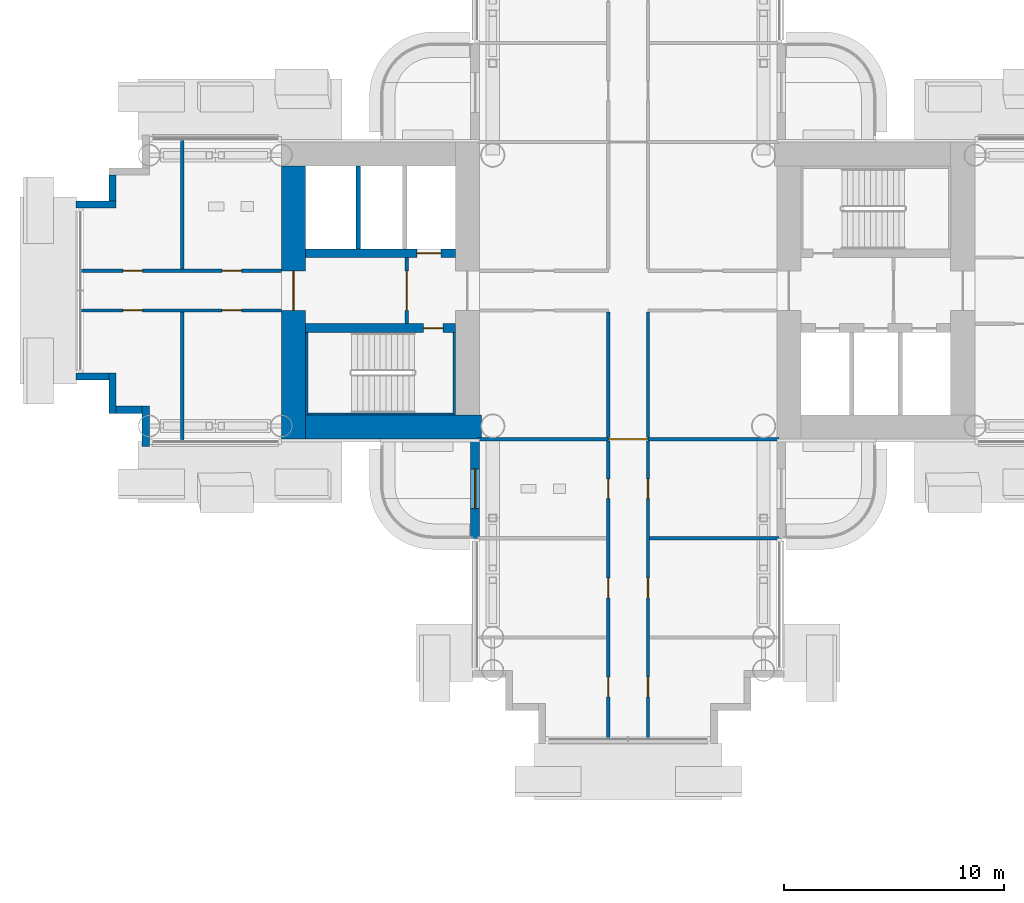
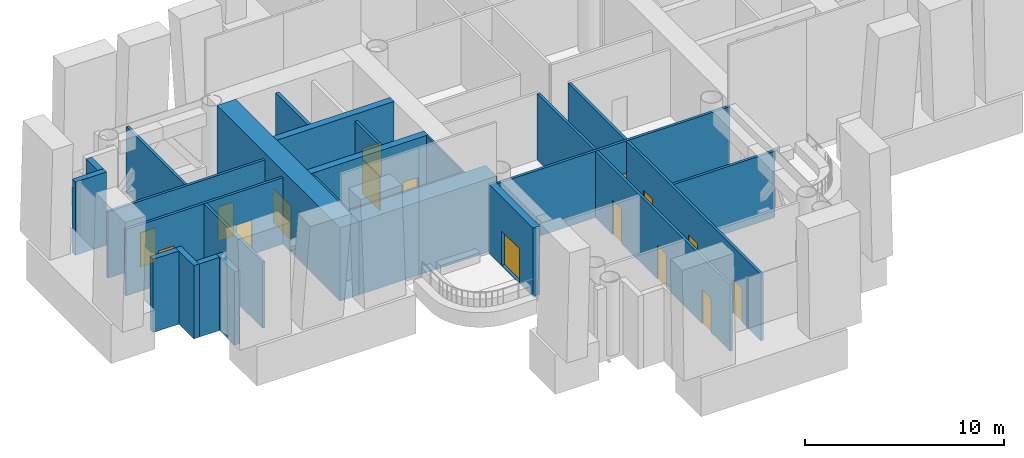
# One storey, part 13 of 27: 26 walls, 16 doors, 16 openings.
"""IFC4 building model written with IfcOpenShell, lengths in metres."""

from ifc_helpers import new_model, si_unit, direction, frame, frame_2d, origin, place, context, subcontext, project, spatial, rectangle, extrude, material, layer, layer_set, type_object, element, fill, save


model = new_model("IFC4")

# Units and contexts
model_context = context("Model", 3, precision=1e-05, world=origin(), true_north=direction((0.0, 1.0)))
body_context = subcontext(model_context, "Body", "Model", "MODEL_VIEW")
ifc_project = project(units=[si_unit("LENGTHUNIT", "METRE"), si_unit("AREAUNIT", "SQUARE_METRE"), si_unit("VOLUMEUNIT", "CUBIC_METRE"), si_unit("PLANEANGLEUNIT", "RADIAN"), si_unit("MASSUNIT", "GRAM", prefix="KILO")], contexts=[model_context])

# Site, building, storey
site_placement = place(None, origin())
site = spatial("IfcSite", under=ifc_project, at=site_placement, CompositionType="ELEMENT")
building_placement = place(site_placement, origin())
building = spatial("IfcBuilding", under=site, at=building_placement, Name="Ipe Terrace Towers", CompositionType="ELEMENT")
storey_placement = place(building_placement, frame((0.0, 0.0, 72.10009765625)))
storey = spatial("IfcBuildingStorey", under=building, at=storey_placement, Name="L19", CompositionType="ELEMENT", Elevation=72.10009765625)

# Wall, opening, door
ifc_material_1 = material(Name="Concrete C40/50 with buff precast cladding", Category="concrete")
ifc_layer_1 = layer(ifc_material_1, 0.39990234375)
ifc_layer_set_1 = layer_set([ifc_layer_1], Name="BALCONY BAY WALL 400")
wall_type_1 = type_object("IfcWallType", Name="BALCONY BAY WALL 400", PredefinedType="STANDARD", material=ifc_layer_set_1)
wall_1_placement = place(storey_placement, frame((-42.949951171875, -6.75, -0.02001953125), z_axis=(0.0, 0.0, 1.0), x_axis=(0.0, -1.0, 0.0)))
wall_1 = element("IfcWall", 1, at=wall_1_placement, inside=storey, type_object=wall_type_1, Name="T1-W-L19-06a wall", PredefinedType="STANDARD", context=body_context, shape_type="SweptSolid", body=[
    extrude(rectangle(XDim=4.5, YDim=0.39990234375, at=frame_2d((2.25, 0.0))), origin(), (0.0, 0.0, 1.0), 4.219970703125),
])
opening_1_placement = place(wall_1_placement, frame((1.35009765625, 0.0, 0.02001953125)))
opening_1 = element("IfcOpeningElement", 2, at=opening_1_placement, cuts=wall_1, Name="Opening T1-D-L19-06", PredefinedType="OPENING", context=body_context, shape_type="SweptSolid", body=[
    extrude(rectangle(XDim=1.800048828125, YDim=2.10009765625, at=frame_2d((0.89990234375, 1.050048828125))), frame((0.0, 0.2099609375, 0.0), z_axis=(0.0, -1.0, 0.0), x_axis=(1.0, 0.0, 0.0)), (0.0, 0.0, 1.0), 0.419921875),
])
ifc_material_2 = material(Name="Aluminium alloy 6063-T6 framed glazed door", Category="aluminium")
door_type_1 = type_object("IfcDoorType", Name="BALCONY DOOR 1800 x 2100 LEFT", OperationType="SINGLE_SWING_LEFT", PredefinedType="DOOR", material=ifc_material_2)
door_1_placement = place(opening_1_placement, origin())
door_1 = element("IfcDoor", 3, at=door_1_placement, inside=storey, type_object=door_type_1, Name="DB1 door", OperationType="SINGLE_SWING_LEFT", OverallHeight=2.10009765625, OverallWidth=1.800048828125, PredefinedType="DOOR", context=body_context, shape_type="SweptSolid", body=[
    extrude(rectangle(XDim=1.800048828125, YDim=2.10009765625, at=frame_2d((0.89990234375, 1.050048828125))), frame((0.0, 0.02490234375, 0.0), z_axis=(0.0, -1.0, 0.0), x_axis=(1.0, 0.0, 0.0)), (0.0, 0.0, 1.0), 0.050048828125),
])
fill(opening_1, door_1)

# Walls
ifc_material_3 = material(Name="Concrete C40/50 with buff precast cladding", Category="concrete")
ifc_layer_2 = layer(ifc_material_3, 0.320068359375)
ifc_layer_set_2 = layer_set([ifc_layer_2], Name="BUFF CLADDING WALL 320")
wall_type_2 = type_object("IfcWallType", Name="BUFF CLADDING WALL 320", PredefinedType="STANDARD", material=ifc_layer_set_2)
wall_2_placement = place(storey_placement, frame((-61.070068359375, -3.909912109375, -0.300048828125), z_axis=(0.0, 0.0, 1.0), x_axis=(1.0, 0.0, 0.0)))
element("IfcWall", 4, at=wall_2_placement, inside=storey, type_object=wall_type_2, Name="T1-W-L19-00a wall", PredefinedType="STANDARD", context=body_context, shape_type="SweptSolid", body=[
    extrude(rectangle(XDim=1.5, YDim=0.320068359375, at=frame_2d((0.75, 0.0))), origin(), (0.0, 0.0, 1.0), 4.5),
])
wall_3_placement = place(storey_placement, frame((-59.409912109375, -3.75, -0.300048828125), z_axis=(0.0, 0.0, 1.0), x_axis=(0.0, -1.0, 0.0)))
element("IfcWall", 5, at=wall_3_placement, inside=storey, type_object=wall_type_2, Name="T1-W-L19-01a wall", PredefinedType="STANDARD", context=body_context, shape_type="SweptSolid", body=[
    extrude(rectangle(XDim=1.820068359375, YDim=0.320068359375, at=frame_2d((0.91015625, 0.0))), origin(), (0.0, 0.0, 1.0), 4.5),
])
wall_4_placement = place(storey_placement, frame((-59.25, -5.409912109375, -0.300048828125), z_axis=(0.0, 0.0, 1.0), x_axis=(1.0, 0.0, 0.0)))
element("IfcWall", 6, at=wall_4_placement, inside=storey, type_object=wall_type_2, Name="T1-W-L19-02a wall", PredefinedType="STANDARD", context=body_context, shape_type="SweptSolid", body=[
    extrude(rectangle(XDim=1.179931640625, YDim=0.320068359375, at=frame_2d((0.58984375, 0.0))), origin(), (0.0, 0.0, 1.0), 4.5),
])
wall_5_placement = place(storey_placement, frame((-57.909912109375, -5.25, -0.300048828125), z_axis=(0.0, 0.0, 1.0), x_axis=(0.0, -1.0, 0.0)))
element("IfcWall", 7, at=wall_5_placement, inside=storey, type_object=wall_type_2, Name="T1-W-L19-03a wall", PredefinedType="STANDARD", context=body_context, shape_type="SweptSolid", body=[
    extrude(rectangle(XDim=1.820068359375, YDim=0.320068359375, at=frame_2d((0.91015625, 0.0))), origin(), (0.0, 0.0, 1.0), 4.5),
])
wall_6_placement = place(storey_placement, frame((-59.409912109375, 5.25, -0.300048828125), z_axis=(0.0, 0.0, 1.0), x_axis=(0.0, -1.0, 0.0)))
element("IfcWall", 8, at=wall_6_placement, inside=storey, type_object=wall_type_2, Name="T1-W-L19-49a wall", PredefinedType="STANDARD", context=body_context, shape_type="SweptSolid", body=[
    extrude(rectangle(XDim=1.179931640625, YDim=0.320068359375, at=frame_2d((0.58984375, 0.0))), origin(), (0.0, 0.0, 1.0), 4.5),
])
wall_7_placement = place(storey_placement, frame((-59.25, 3.909912109375, -0.300048828125), z_axis=(0.0, 0.0, 1.0), x_axis=(-1.0, 0.0, 0.0)))
element("IfcWall", 9, at=wall_7_placement, inside=storey, type_object=wall_type_2, Name="T1-W-L19-50a wall", PredefinedType="STANDARD", context=body_context, shape_type="SweptSolid", body=[
    extrude(rectangle(XDim=1.820068359375, YDim=0.320068359375, at=frame_2d((0.91015625, 0.0))), origin(), (0.0, 0.0, 1.0), 4.5),
])

# Wall, opening, door
ifc_material_4 = material(Name="Gypsum board partition", Category="plasterboard")
ifc_layer_3 = layer(ifc_material_4, 0.14990234375)
ifc_layer_set_3 = layer_set([ifc_layer_3], Name="Gypsum board partition 150 mm")
wall_type_3 = type_object("IfcWallType", Name="Gypsum board partition 150 mm", PredefinedType="PARTITIONING", material=ifc_layer_set_3)
wall_8_placement = place(storey_placement, frame((-46.050048828125, 1.5, 0.0), z_axis=(0.0, 0.0, 1.0), x_axis=(0.0, -1.0, 0.0)))
wall_8 = element("IfcWall", 10, at=wall_8_placement, inside=storey, type_object=wall_type_3, Name="Gypsum board partition T1 L19 t1c2-lobby-wall", PredefinedType="PARTITIONING", context=body_context, shape_type="SweptSolid", body=[
    extrude(rectangle(XDim=3.0, YDim=0.14990234375, at=frame_2d((1.5, 0.0))), origin(), (0.0, 0.0, 1.0), 4.079833984375),
])
opening_2_placement = place(wall_8_placement, frame((0.60009765625, 0.0, 0.0)))
opening_2 = element("IfcOpeningElement", 11, at=opening_2_placement, cuts=wall_8, Name="Opening T1C2-VD", PredefinedType="OPENING", context=body_context, shape_type="SweptSolid", body=[
    extrude(rectangle(XDim=1.800048828125, YDim=2.10009765625, at=frame_2d((0.89990234375, 1.050048828125))), frame((0.0, 0.0849609375, 0.0), z_axis=(0.0, -1.0, 0.0), x_axis=(1.0, 0.0, 0.0)), (0.0, 0.0, 1.0), 0.169921875),
])
ifc_material_5 = material(Name="Fire-rated timber door leaf", Category="wood")
door_type_2 = type_object("IfcDoorType", Name="Lobby door 1800 x 2100 FD60", OperationType="NOTDEFINED", PredefinedType="DOOR", material=ifc_material_5)
door_2_placement = place(opening_2_placement, origin())
door_2 = element("IfcDoor", 12, at=door_2_placement, inside=storey, type_object=door_type_2, Name="Lobby door T1C2-VD", OperationType="SINGLE_SWING_LEFT", OverallHeight=2.10009765625, OverallWidth=1.800048828125, PredefinedType="DOOR", context=body_context, shape_type="SweptSolid", body=[
    extrude(rectangle(XDim=1.800048828125, YDim=2.10009765625, at=frame_2d((0.89990234375, 1.050048828125))), frame((0.0, 0.02490234375, 0.0), z_axis=(0.0, -1.0, 0.0), x_axis=(1.0, 0.0, 0.0)), (0.0, 0.0, 1.0), 0.050048828125),
])
fill(opening_2, door_2)

# Walls
for number, where, z_axis, x_axis, name in (
    (13, (-35.10009765625, -6.675048828125, 0.0), (0.0, 0.0, 1.0), (0.0, 1.0, 0.0), "Gypsum board partition T1 L19 sp-hub-qes-y"),
    (14, (-36.89990234375, -6.675048828125, 0.0), (0.0, 0.0, 1.0), (0.0, 1.0, 0.0), "Gypsum board partition T1 L19 sp-hub-qws-y"),
):
    element("IfcWall", number, at=place(storey_placement, frame(where, z_axis=z_axis, x_axis=x_axis)), inside=storey, type_object=wall_type_3, Name=name, PredefinedType="PARTITIONING", context=body_context, shape_type="SweptSolid", body=[
        extrude(rectangle(XDim=5.699951171875, YDim=0.14990234375, at=frame_2d((2.85009765625, 0.0))), origin(), (0.0, 0.0, 1.0), 4.079833984375),
    ])

# Wall, openings, doors
wall_9_placement = place(storey_placement, frame((-60.85009765625, 0.89990234375, 0.0), z_axis=(0.0, 0.0, 1.0), x_axis=(1.0, 0.0, 0.0)))
wall_9 = element("IfcWall", 15, at=wall_9_placement, inside=storey, type_object=wall_type_3, Name="Gypsum board partition T1 L19 sp-Lm-wp", PredefinedType="PARTITIONING", context=body_context, shape_type="SweptSolid", body=[
    extrude(rectangle(XDim=9.10009765625, YDim=0.14990234375, at=frame_2d((4.550048828125, 0.0))), origin(), (0.0, 0.0, 1.0), 4.079833984375),
])
opening_3_placement = place(wall_9_placement, frame((1.89990234375, 0.0, 0.0)))
opening_3 = element("IfcOpeningElement", 16, at=opening_3_placement, cuts=wall_9, Name="Opening T1-SP-PLm1", PredefinedType="OPENING", context=body_context, shape_type="SweptSolid", body=[
    extrude(rectangle(XDim=0.89990234375, YDim=2.10009765625, at=frame_2d((0.449951171875, 1.050048828125))), frame((0.0, 0.0849609375, 0.0), z_axis=(0.0, -1.0, 0.0), x_axis=(1.0, 0.0, 0.0)), (0.0, 0.0, 1.0), 0.169921875),
])
opening_4_placement = place(wall_9_placement, frame((6.39990234375, 0.0, 0.0)))
opening_4 = element("IfcOpeningElement", 17, at=opening_4_placement, cuts=wall_9, Name="Opening T1-SP-PLm2", PredefinedType="OPENING", context=body_context, shape_type="SweptSolid", body=[
    extrude(rectangle(XDim=0.89990234375, YDim=2.10009765625, at=frame_2d((0.449951171875, 1.050048828125))), frame((0.0, 0.0849609375, 0.0), z_axis=(0.0, -1.0, 0.0), x_axis=(1.0, 0.0, 0.0)), (0.0, 0.0, 1.0), 0.169921875),
])
ifc_material_6 = material(Name="Timber door leaf", Category="wood")
door_type_3 = type_object("IfcDoorType", Name="Lounge door 900 x 2100", OperationType="NOTDEFINED", PredefinedType="DOOR", material=ifc_material_6)
door_3_placement = place(opening_4_placement, origin())
door_3 = element("IfcDoor", 18, at=door_3_placement, inside=storey, type_object=door_type_3, Name="Lounge door T1-SP-PLm2", OperationType="SINGLE_SWING_LEFT", OverallHeight=2.10009765625, OverallWidth=0.89990234375, PredefinedType="DOOR", context=body_context, shape_type="SweptSolid", body=[
    extrude(rectangle(XDim=0.89990234375, YDim=2.10009765625, at=frame_2d((0.449951171875, 1.050048828125))), frame((0.0, 0.02490234375, 0.0), z_axis=(0.0, -1.0, 0.0), x_axis=(1.0, 0.0, 0.0)), (0.0, 0.0, 1.0), 0.050048828125),
])
fill(opening_4, door_3)
ifc_material_7 = material(Name="Fire-rated timber door leaf", Category="wood")
door_type_4 = type_object("IfcDoorType", Name="Lounge door 900 x 2100 FD30S", OperationType="NOTDEFINED", PredefinedType="DOOR", material=ifc_material_7)
door_4_placement = place(opening_3_placement, origin())
door_4 = element("IfcDoor", 19, at=door_4_placement, inside=storey, type_object=door_type_4, Name="Lounge door T1-SP-PLm1", OperationType="SINGLE_SWING_RIGHT", OverallHeight=2.10009765625, OverallWidth=0.89990234375, PredefinedType="DOOR", context=body_context, shape_type="SweptSolid", body=[
    extrude(rectangle(XDim=0.89990234375, YDim=2.10009765625, at=frame_2d((0.449951171875, 1.050048828125))), frame((0.0, 0.02490234375, 0.0), z_axis=(0.0, -1.0, 0.0), x_axis=(1.0, 0.0, 0.0)), (0.0, 0.0, 1.0), 0.050048828125),
])
fill(opening_3, door_4)

# Wall
wall_10_placement = place(storey_placement, frame((-56.25, 0.97509765625, 0.0), z_axis=(0.0, 0.0, 1.0), x_axis=(0.0, 1.0, 0.0)))
element("IfcWall", 20, at=wall_10_placement, inside=storey, type_object=wall_type_3, Name="Gypsum board partition T1 L19 sp-Lm-dp1", PredefinedType="PARTITIONING", context=body_context, shape_type="SweptSolid", body=[
    extrude(rectangle(XDim=5.875, YDim=0.14990234375, at=frame_2d((2.9375, 0.0))), origin(), (0.0, 0.0, 1.0), 4.079833984375),
])

# Wall, openings, doors
wall_11_placement = place(storey_placement, frame((-60.85009765625, -0.89990234375, 0.0), z_axis=(0.0, 0.0, 1.0), x_axis=(1.0, 0.0, 0.0)))
wall_11 = element("IfcWall", 21, at=wall_11_placement, inside=storey, type_object=wall_type_3, Name="Gypsum board partition T1 L19 sp-Lm-wm", PredefinedType="PARTITIONING", context=body_context, shape_type="SweptSolid", body=[
    extrude(rectangle(XDim=9.10009765625, YDim=0.14990234375, at=frame_2d((4.550048828125, 0.0))), origin(), (0.0, 0.0, 1.0), 4.079833984375),
])
opening_5_placement = place(wall_11_placement, frame((1.89990234375, 0.0, 0.0)))
opening_5 = element("IfcOpeningElement", 22, at=opening_5_placement, cuts=wall_11, Name="Opening T1-SP-MLm1", PredefinedType="OPENING", context=body_context, shape_type="SweptSolid", body=[
    extrude(rectangle(XDim=0.89990234375, YDim=2.10009765625, at=frame_2d((0.449951171875, 1.050048828125))), frame((0.0, 0.0849609375, 0.0), z_axis=(0.0, -1.0, 0.0), x_axis=(1.0, 0.0, 0.0)), (0.0, 0.0, 1.0), 0.169921875),
])
opening_6_placement = place(wall_11_placement, frame((6.39990234375, 0.0, 0.0)))
opening_6 = element("IfcOpeningElement", 23, at=opening_6_placement, cuts=wall_11, Name="Opening T1-SP-MLm2", PredefinedType="OPENING", context=body_context, shape_type="SweptSolid", body=[
    extrude(rectangle(XDim=0.89990234375, YDim=2.10009765625, at=frame_2d((0.449951171875, 1.050048828125))), frame((0.0, 0.0849609375, 0.0), z_axis=(0.0, -1.0, 0.0), x_axis=(1.0, 0.0, 0.0)), (0.0, 0.0, 1.0), 0.169921875),
])
door_5_placement = place(opening_5_placement, origin())
door_5 = element("IfcDoor", 24, at=door_5_placement, inside=storey, type_object=door_type_4, Name="Lounge door T1-SP-MLm1", OperationType="SINGLE_SWING_LEFT", OverallHeight=2.10009765625, OverallWidth=0.89990234375, PredefinedType="DOOR", context=body_context, shape_type="SweptSolid", body=[
    extrude(rectangle(XDim=0.89990234375, YDim=2.10009765625, at=frame_2d((0.449951171875, 1.050048828125))), frame((0.0, 0.02490234375, 0.0), z_axis=(0.0, -1.0, 0.0), x_axis=(1.0, 0.0, 0.0)), (0.0, 0.0, 1.0), 0.050048828125),
])
fill(opening_5, door_5)
door_6_placement = place(opening_6_placement, origin())
door_6 = element("IfcDoor", 25, at=door_6_placement, inside=storey, type_object=door_type_4, Name="Lounge door T1-SP-MLm2", OperationType="SINGLE_SWING_RIGHT", OverallHeight=2.10009765625, OverallWidth=0.89990234375, PredefinedType="DOOR", context=body_context, shape_type="SweptSolid", body=[
    extrude(rectangle(XDim=0.89990234375, YDim=2.10009765625, at=frame_2d((0.449951171875, 1.050048828125))), frame((0.0, 0.02490234375, 0.0), z_axis=(0.0, -1.0, 0.0), x_axis=(1.0, 0.0, 0.0)), (0.0, 0.0, 1.0), 0.050048828125),
])
fill(opening_6, door_6)

# Wall
wall_12_placement = place(storey_placement, frame((-56.25, -0.97509765625, 0.0), z_axis=(0.0, 0.0, 1.0), x_axis=(0.0, -1.0, 0.0)))
element("IfcWall", 26, at=wall_12_placement, inside=storey, type_object=wall_type_3, Name="Gypsum board partition T1 L19 sp-Lm-dm1", PredefinedType="PARTITIONING", context=body_context, shape_type="SweptSolid", body=[
    extrude(rectangle(XDim=5.875, YDim=0.14990234375, at=frame_2d((2.9375, 0.0))), origin(), (0.0, 0.0, 1.0), 4.079833984375),
])

# Wall, opening, door
wall_13_placement = place(storey_placement, frame((-42.85009765625, -6.75, 0.0), z_axis=(0.0, 0.0, 1.0), x_axis=(1.0, 0.0, 0.0)))
wall_13 = element("IfcWall", 27, at=wall_13_placement, inside=storey, type_object=wall_type_3, Name="Gypsum board partition T1 L19 sp-Sm-mouth", PredefinedType="PARTITIONING", context=body_context, shape_type="SweptSolid", body=[
    extrude(rectangle(XDim=13.7001953125, YDim=0.14990234375, at=frame_2d((6.85009765625, 0.0))), origin(), (0.0, 0.0, 1.0), 4.079833984375),
])
opening_7_placement = place(wall_13_placement, frame((5.949951171875, 0.0, 0.0)))
opening_7 = element("IfcOpeningElement", 28, at=opening_7_placement, cuts=wall_13, Name="Opening T1-SP-MSm", PredefinedType="OPENING", context=body_context, shape_type="SweptSolid", body=[
    extrude(rectangle(XDim=1.800048828125, YDim=2.10009765625, at=frame_2d((0.89990234375, 1.050048828125))), frame((0.0, 0.0849609375, 0.0), z_axis=(0.0, -1.0, 0.0), x_axis=(1.0, 0.0, 0.0)), (0.0, 0.0, 1.0), 0.169921875),
])
ifc_material_8 = material(Name="Fire-rated timber door leaf", Category="wood")
door_type_5 = type_object("IfcDoorType", Name="Lobby door 1800 x 2100 FD30S", OperationType="NOTDEFINED", PredefinedType="DOOR", material=ifc_material_8)
door_7_placement = place(opening_7_placement, origin())
door_7 = element("IfcDoor", 29, at=door_7_placement, inside=storey, type_object=door_type_5, Name="Lobby door T1-SP-MSm", OperationType="SINGLE_SWING_RIGHT", OverallHeight=2.10009765625, OverallWidth=1.800048828125, PredefinedType="DOOR", context=body_context, shape_type="SweptSolid", body=[
    extrude(rectangle(XDim=1.800048828125, YDim=2.10009765625, at=frame_2d((0.89990234375, 1.050048828125))), frame((0.0, 0.02490234375, 0.0), z_axis=(0.0, -1.0, 0.0), x_axis=(1.0, 0.0, 0.0)), (0.0, 0.0, 1.0), 0.050048828125),
])
fill(opening_7, door_7)

# Wall, openings, doors
wall_14_placement = place(storey_placement, frame((-35.10009765625, -20.35009765625, 0.0), z_axis=(0.0, 0.0, 1.0), x_axis=(0.0, 1.0, 0.0)))
wall_14 = element("IfcWall", 30, at=wall_14_placement, inside=storey, type_object=wall_type_3, Name="Gypsum board partition T1 L19 sp-Sm-wp", PredefinedType="PARTITIONING", context=body_context, shape_type="SweptSolid", body=[
    extrude(rectangle(XDim=13.525146484375, YDim=0.14990234375, at=frame_2d((6.7626953125, 0.0))), origin(), (0.0, 0.0, 1.0), 4.079833984375),
])
opening_8_placement = place(wall_14_placement, frame((1.89990234375, 0.0, 0.0)))
opening_8 = element("IfcOpeningElement", 31, at=opening_8_placement, cuts=wall_14, Name="Opening T1-SP-PSm1", PredefinedType="OPENING", context=body_context, shape_type="SweptSolid", body=[
    extrude(rectangle(XDim=0.89990234375, YDim=2.10009765625, at=frame_2d((0.449951171875, 1.050048828125))), frame((0.0, 0.0849609375, 0.0), z_axis=(0.0, -1.0, 0.0), x_axis=(1.0, 0.0, 0.0)), (0.0, 0.0, 1.0), 0.169921875),
])
opening_9_placement = place(wall_14_placement, frame((6.39990234375, 0.0, 0.0)))
opening_9 = element("IfcOpeningElement", 32, at=opening_9_placement, cuts=wall_14, Name="Opening T1-SP-PSm2", PredefinedType="OPENING", context=body_context, shape_type="SweptSolid", body=[
    extrude(rectangle(XDim=0.89990234375, YDim=2.10009765625, at=frame_2d((0.449951171875, 1.050048828125))), frame((0.0, 0.0849609375, 0.0), z_axis=(0.0, -1.0, 0.0), x_axis=(1.0, 0.0, 0.0)), (0.0, 0.0, 1.0), 0.169921875),
])
opening_10_placement = place(wall_14_placement, frame((10.89990234375, 0.0, 0.0)))
opening_10 = element("IfcOpeningElement", 33, at=opening_10_placement, cuts=wall_14, Name="Opening T1-SP-PSm3", PredefinedType="OPENING", context=body_context, shape_type="SweptSolid", body=[
    extrude(rectangle(XDim=0.89990234375, YDim=2.10009765625, at=frame_2d((0.449951171875, 1.050048828125))), frame((0.0, 0.0849609375, 0.0), z_axis=(0.0, -1.0, 0.0), x_axis=(1.0, 0.0, 0.0)), (0.0, 0.0, 1.0), 0.169921875),
])
door_8_placement = place(opening_8_placement, origin())
door_8 = element("IfcDoor", 34, at=door_8_placement, inside=storey, type_object=door_type_4, Name="Lounge door T1-SP-PSm1", OperationType="SINGLE_SWING_LEFT", OverallHeight=2.10009765625, OverallWidth=0.89990234375, PredefinedType="DOOR", context=body_context, shape_type="SweptSolid", body=[
    extrude(rectangle(XDim=0.89990234375, YDim=2.10009765625, at=frame_2d((0.449951171875, 1.050048828125))), frame((0.0, 0.02490234375, 0.0), z_axis=(0.0, -1.0, 0.0), x_axis=(1.0, 0.0, 0.0)), (0.0, 0.0, 1.0), 0.050048828125),
])
fill(opening_8, door_8)
door_9_placement = place(opening_9_placement, origin())
door_9 = element("IfcDoor", 35, at=door_9_placement, inside=storey, type_object=door_type_4, Name="Lounge door T1-SP-PSm2", OperationType="SINGLE_SWING_RIGHT", OverallHeight=2.10009765625, OverallWidth=0.89990234375, PredefinedType="DOOR", context=body_context, shape_type="SweptSolid", body=[
    extrude(rectangle(XDim=0.89990234375, YDim=2.10009765625, at=frame_2d((0.449951171875, 1.050048828125))), frame((0.0, 0.02490234375, 0.0), z_axis=(0.0, -1.0, 0.0), x_axis=(1.0, 0.0, 0.0)), (0.0, 0.0, 1.0), 0.050048828125),
])
fill(opening_9, door_9)
door_10_placement = place(opening_10_placement, origin())
door_10 = element("IfcDoor", 36, at=door_10_placement, inside=storey, type_object=door_type_4, Name="Lounge door T1-SP-PSm3", OperationType="SINGLE_SWING_LEFT", OverallHeight=2.10009765625, OverallWidth=0.89990234375, PredefinedType="DOOR", context=body_context, shape_type="SweptSolid", body=[
    extrude(rectangle(XDim=0.89990234375, YDim=2.10009765625, at=frame_2d((0.449951171875, 1.050048828125))), frame((0.0, 0.02490234375, 0.0), z_axis=(0.0, -1.0, 0.0), x_axis=(1.0, 0.0, 0.0)), (0.0, 0.0, 1.0), 0.050048828125),
])
fill(opening_10, door_10)

# Wall
wall_15_placement = place(storey_placement, frame((-35.02490234375, -11.25, 0.0), z_axis=(0.0, 0.0, 1.0), x_axis=(1.0, 0.0, 0.0)))
element("IfcWall", 37, at=wall_15_placement, inside=storey, type_object=wall_type_3, Name="Gypsum board partition T1 L19 sp-Sm-dp2", PredefinedType="PARTITIONING", context=body_context, shape_type="SweptSolid", body=[
    extrude(rectangle(XDim=5.875, YDim=0.14990234375, at=frame_2d((2.9375, 0.0))), origin(), (0.0, 0.0, 1.0), 4.079833984375),
])

# Wall, openings, doors
wall_16_placement = place(storey_placement, frame((-36.89990234375, -20.35009765625, 0.0), z_axis=(0.0, 0.0, 1.0), x_axis=(0.0, 1.0, 0.0)))
wall_16 = element("IfcWall", 38, at=wall_16_placement, inside=storey, type_object=wall_type_3, Name="Gypsum board partition T1 L19 sp-Sm-wm", PredefinedType="PARTITIONING", context=body_context, shape_type="SweptSolid", body=[
    extrude(rectangle(XDim=13.525146484375, YDim=0.14990234375, at=frame_2d((6.7626953125, 0.0))), origin(), (0.0, 0.0, 1.0), 4.079833984375),
])
opening_11_placement = place(wall_16_placement, frame((1.89990234375, 0.0, 0.0)))
opening_11 = element("IfcOpeningElement", 39, at=opening_11_placement, cuts=wall_16, Name="Opening T1-SP-MSm1", PredefinedType="OPENING", context=body_context, shape_type="SweptSolid", body=[
    extrude(rectangle(XDim=0.89990234375, YDim=2.10009765625, at=frame_2d((0.449951171875, 1.050048828125))), frame((0.0, 0.0849609375, 0.0), z_axis=(0.0, -1.0, 0.0), x_axis=(1.0, 0.0, 0.0)), (0.0, 0.0, 1.0), 0.169921875),
])
opening_12_placement = place(wall_16_placement, frame((6.39990234375, 0.0, 0.0)))
opening_12 = element("IfcOpeningElement", 40, at=opening_12_placement, cuts=wall_16, Name="Opening T1-SP-MSm2", PredefinedType="OPENING", context=body_context, shape_type="SweptSolid", body=[
    extrude(rectangle(XDim=0.89990234375, YDim=2.10009765625, at=frame_2d((0.449951171875, 1.050048828125))), frame((0.0, 0.0849609375, 0.0), z_axis=(0.0, -1.0, 0.0), x_axis=(1.0, 0.0, 0.0)), (0.0, 0.0, 1.0), 0.169921875),
])
opening_13_placement = place(wall_16_placement, frame((10.89990234375, 0.0, 0.0)))
opening_13 = element("IfcOpeningElement", 41, at=opening_13_placement, cuts=wall_16, Name="Opening T1-SP-MSm3", PredefinedType="OPENING", context=body_context, shape_type="SweptSolid", body=[
    extrude(rectangle(XDim=0.89990234375, YDim=2.10009765625, at=frame_2d((0.449951171875, 1.050048828125))), frame((0.0, 0.0849609375, 0.0), z_axis=(0.0, -1.0, 0.0), x_axis=(1.0, 0.0, 0.0)), (0.0, 0.0, 1.0), 0.169921875),
])
door_11_placement = place(opening_13_placement, origin())
door_11 = element("IfcDoor", 42, at=door_11_placement, inside=storey, type_object=door_type_3, Name="Lounge door T1-SP-MSm3", OperationType="SINGLE_SWING_RIGHT", OverallHeight=2.10009765625, OverallWidth=0.89990234375, PredefinedType="DOOR", context=body_context, shape_type="SweptSolid", body=[
    extrude(rectangle(XDim=0.89990234375, YDim=2.10009765625, at=frame_2d((0.449951171875, 1.050048828125))), frame((0.0, 0.02490234375, 0.0), z_axis=(0.0, -1.0, 0.0), x_axis=(1.0, 0.0, 0.0)), (0.0, 0.0, 1.0), 0.050048828125),
])
fill(opening_13, door_11)
door_12_placement = place(opening_11_placement, origin())
door_12 = element("IfcDoor", 43, at=door_12_placement, inside=storey, type_object=door_type_4, Name="Lounge door T1-SP-MSm1", OperationType="SINGLE_SWING_RIGHT", OverallHeight=2.10009765625, OverallWidth=0.89990234375, PredefinedType="DOOR", context=body_context, shape_type="SweptSolid", body=[
    extrude(rectangle(XDim=0.89990234375, YDim=2.10009765625, at=frame_2d((0.449951171875, 1.050048828125))), frame((0.0, 0.02490234375, 0.0), z_axis=(0.0, -1.0, 0.0), x_axis=(1.0, 0.0, 0.0)), (0.0, 0.0, 1.0), 0.050048828125),
])
fill(opening_11, door_12)
door_13_placement = place(opening_12_placement, origin())
door_13 = element("IfcDoor", 44, at=door_13_placement, inside=storey, type_object=door_type_4, Name="Lounge door T1-SP-MSm2", OperationType="SINGLE_SWING_LEFT", OverallHeight=2.10009765625, OverallWidth=0.89990234375, PredefinedType="DOOR", context=body_context, shape_type="SweptSolid", body=[
    extrude(rectangle(XDim=0.89990234375, YDim=2.10009765625, at=frame_2d((0.449951171875, 1.050048828125))), frame((0.0, 0.02490234375, 0.0), z_axis=(0.0, -1.0, 0.0), x_axis=(1.0, 0.0, 0.0)), (0.0, 0.0, 1.0), 0.050048828125),
])
fill(opening_12, door_13)

# Walls
ifc_material_9 = material(Name="Gypsum board party wall", Category="plasterboard")
ifc_layer_4 = layer(ifc_material_9, 0.199951171875)
ifc_layer_set_4 = layer_set([ifc_layer_4], Name="Gypsum board party wall 200 mm")
wall_type_4 = type_object("IfcWallType", Name="Gypsum board party wall 200 mm", PredefinedType="SOLIDWALL", material=ifc_layer_set_4)
wall_17_placement = place(storey_placement, frame((-48.25, 5.64990234375, 0.0), z_axis=(0.0, 0.0, 1.0), x_axis=(0.0, -1.0, 0.0)))
element("IfcWall", 45, at=wall_17_placement, inside=storey, type_object=wall_type_4, Name="Gypsum board party wall T1 L19 t1c2-shaft-div2", PredefinedType="SOLIDWALL", context=body_context, shape_type="SweptSolid", body=[
    extrude(rectangle(XDim=3.75, YDim=0.199951171875, at=frame_2d((1.875, 0.0))), origin(), (0.0, 0.0, 1.0), 4.079833984375),
])
ifc_material_10 = material(Name="Concrete C60/75", Category="concrete")
ifc_layer_5 = layer(ifc_material_10, 0.10009765625)
ifc_layer_set_5 = layer_set([ifc_layer_5], Name="RW100 CORE INFILL WALL 100 C60-75")
wall_type_5 = type_object("IfcWallType", Name="RW100 CORE INFILL WALL 100 C60-75", PredefinedType="SHEAR", material=ifc_layer_set_5)
wall_18_placement = place(storey_placement, frame((-50.60009765625, -1.89990234375, 0.0), z_axis=(0.0, 0.0, 1.0), x_axis=(0.0, -1.0, 0.0)))
element("IfcWall", 46, at=wall_18_placement, inside=storey, type_object=wall_type_5, Name="Core infill wall T1-C2-far", PredefinedType="SHEAR", context=body_context, shape_type="SweptSolid", body=[
    extrude(rectangle(XDim=3.75, YDim=0.10009765625, at=frame_2d((1.875, 0.0))), origin(), (0.0, 0.0, 1.0), 4.5),
])
wall_19_placement = place(storey_placement, frame((-43.949951171875, -5.60009765625, 0.0), z_axis=(0.0, 0.0, 1.0), x_axis=(-1.0, 0.0, 0.0)))
element("IfcWall", 47, at=wall_19_placement, inside=storey, type_object=wall_type_5, Name="Core infill wall T1-C2-back", PredefinedType="SHEAR", context=body_context, shape_type="SweptSolid", body=[
    extrude(rectangle(XDim=6.60009765625, YDim=0.10009765625, at=frame_2d((3.300048828125, 0.0))), origin(), (0.0, 0.0, 1.0), 4.5),
])
wall_20_placement = place(storey_placement, frame((-43.89990234375, -1.89990234375, 0.0), z_axis=(0.0, 0.0, 1.0), x_axis=(0.0, -1.0, 0.0)))
element("IfcWall", 48, at=wall_20_placement, inside=storey, type_object=wall_type_5, Name="Core infill wall T1-C2-near", PredefinedType="SHEAR", context=body_context, shape_type="SweptSolid", body=[
    extrude(rectangle(XDim=3.75, YDim=0.10009765625, at=frame_2d((1.875, 0.0))), origin(), (0.0, 0.0, 1.0), 4.5),
])
ifc_material_11 = material(Name="Concrete C60/75", Category="concrete")
ifc_layer_6 = layer(ifc_material_11, 1.10009765625)
ifc_layer_set_6 = layer_set([ifc_layer_6], Name="RW1100 CORE WALL 1100 C60-75")
wall_type_6 = type_object("IfcWallType", Name="RW1100 CORE WALL 1100 C60-75", PredefinedType="SHEAR", material=ifc_layer_set_6)
wall_21_placement = place(storey_placement, frame((-50.64990234375, -6.199951171875, 0.0), z_axis=(0.0, 0.0, 1.0), x_axis=(1.0, 0.0, 0.0)))
element("IfcWall", 49, at=wall_21_placement, inside=storey, type_object=wall_type_6, Name="Core wall T1-C2-Z1-W01", PredefinedType="SHEAR", context=body_context, shape_type="SweptSolid", body=[
    extrude(rectangle(XDim=7.997802734375, YDim=1.10009765625, at=frame_2d((3.9990234375, 0.0))), origin(), (0.0, 0.0, 1.0), 4.5),
])

# Wall, opening, door
wall_22_placement = place(storey_placement, frame((-51.199951171875, 5.64990234375, 0.0), z_axis=(0.0, 0.0, 1.0), x_axis=(0.0, -1.0, 0.0)))
wall_22 = element("IfcWall", 50, at=wall_22_placement, inside=storey, type_object=wall_type_6, Name="Core wall T1-C2-Z1-W04", PredefinedType="SHEAR", context=body_context, shape_type="SweptSolid", body=[
    extrude(rectangle(XDim=12.39990234375, YDim=1.10009765625, at=frame_2d((6.199951171875, 0.0))), origin(), (0.0, 0.0, 1.0), 4.5),
])
opening_14_placement = place(wall_22_placement, frame((4.75, 0.0, 0.0)))
opening_14 = element("IfcOpeningElement", 51, at=opening_14_placement, cuts=wall_22, Name="Opening T1C2-FD", PredefinedType="OPENING", context=body_context, shape_type="SweptSolid", body=[
    extrude(rectangle(XDim=1.800048828125, YDim=2.10009765625, at=frame_2d((0.89990234375, 1.050048828125))), frame((0.0, 0.56005859375, 0.0), z_axis=(0.0, -1.0, 0.0), x_axis=(1.0, 0.0, 0.0)), (0.0, 0.0, 1.0), 1.1201171875),
])
ifc_material_12 = material(Name="Fire-rated timber door leaf", Category="wood")
door_type_6 = type_object("IfcDoorType", Name="Fire door 1800 x 2100 FD30S", OperationType="NOTDEFINED", PredefinedType="DOOR", material=ifc_material_12)
door_14_placement = place(opening_14_placement, origin())
door_14 = element("IfcDoor", 52, at=door_14_placement, inside=storey, type_object=door_type_6, Name="Fire door T1C2-FD", OperationType="SINGLE_SWING_LEFT", OverallHeight=2.10009765625, OverallWidth=1.800048828125, PredefinedType="DOOR", context=body_context, shape_type="SweptSolid", body=[
    extrude(rectangle(XDim=1.800048828125, YDim=2.10009765625, at=frame_2d((0.89990234375, 1.050048828125))), frame((0.0, 0.02490234375, 0.0), z_axis=(0.0, -1.0, 0.0), x_axis=(1.0, 0.0, 0.0)), (0.0, 0.0, 1.0), 0.050048828125),
])
fill(opening_14, door_14)

ifc_material_13 = material(Name="Concrete C60/75", Category="concrete")
ifc_layer_7 = layer(ifc_material_13, 0.39990234375)
ifc_layer_set_7 = layer_set([ifc_layer_7], Name="RW400 CORE SPINE WALL 400 C60-75")
wall_type_7 = type_object("IfcWallType", Name="RW400 CORE SPINE WALL 400 C60-75", PredefinedType="SHEAR", material=ifc_layer_set_7)
wall_23_placement = place(storey_placement, frame((-50.64990234375, -1.699951171875, 0.0), z_axis=(0.0, 0.0, 1.0), x_axis=(1.0, 0.0, 0.0)))
wall_23 = element("IfcWall", 53, at=wall_23_placement, inside=storey, type_object=wall_type_7, Name="Core spine wall T1-C2-Z1-SW1", PredefinedType="SHEAR", context=body_context, shape_type="SweptSolid", body=[
    extrude(rectangle(XDim=6.7998046875, YDim=0.39990234375, at=frame_2d((3.39990234375, 0.0))), origin(), (0.0, 0.0, 1.0), 4.5),
])
opening_15_placement = place(wall_23_placement, frame((5.35009765625, 0.0, 0.0)))
opening_15 = element("IfcOpeningElement", 54, at=opening_15_placement, cuts=wall_23, Name="Opening T1C2-SD", PredefinedType="OPENING", context=body_context, shape_type="SweptSolid", body=[
    extrude(rectangle(XDim=0.89990234375, YDim=2.10009765625, at=frame_2d((0.449951171875, 1.050048828125))), frame((0.0, 0.2099609375, 0.0), z_axis=(0.0, -1.0, 0.0), x_axis=(1.0, 0.0, 0.0)), (0.0, 0.0, 1.0), 0.419921875),
])
ifc_material_14 = material(Name="Fire-rated timber door leaf", Category="wood")
door_type_7 = type_object("IfcDoorType", Name="Stair door 900 x 2100 FD60", OperationType="NOTDEFINED", PredefinedType="DOOR", material=ifc_material_14)
door_15_placement = place(opening_15_placement, origin())
door_15 = element("IfcDoor", 55, at=door_15_placement, inside=storey, type_object=door_type_7, Name="Stair door T1C2-SD", OperationType="SINGLE_SWING_RIGHT", OverallHeight=2.10009765625, OverallWidth=0.89990234375, PredefinedType="DOOR", context=body_context, shape_type="SweptSolid", body=[
    extrude(rectangle(XDim=0.89990234375, YDim=2.10009765625, at=frame_2d((0.449951171875, 1.050048828125))), frame((0.0, 0.02490234375, 0.0), z_axis=(0.0, -1.0, 0.0), x_axis=(1.0, 0.0, 0.0)), (0.0, 0.0, 1.0), 0.050048828125),
])
fill(opening_15, door_15)

wall_24_placement = place(storey_placement, frame((-50.64990234375, 1.699951171875, 0.0), z_axis=(0.0, 0.0, 1.0), x_axis=(1.0, 0.0, 0.0)))
wall_24 = element("IfcWall", 56, at=wall_24_placement, inside=storey, type_object=wall_type_7, Name="Core spine wall T1-C2-Z1-SW2", PredefinedType="SHEAR", context=body_context, shape_type="SweptSolid", body=[
    extrude(rectangle(XDim=6.7998046875, YDim=0.39990234375, at=frame_2d((3.39990234375, 0.0))), origin(), (0.0, 0.0, 1.0), 4.5),
])
opening_16_placement = place(wall_24_placement, frame((5.050048828125, 0.0, 0.0)))
opening_16 = element("IfcOpeningElement", 57, at=opening_16_placement, cuts=wall_24, Name="Opening T1C2-LD1", PredefinedType="OPENING", context=body_context, shape_type="SweptSolid", body=[
    extrude(rectangle(XDim=1.10009765625, YDim=2.10009765625, at=frame_2d((0.550048828125, 1.050048828125))), frame((0.0, 0.2099609375, 0.0), z_axis=(0.0, -1.0, 0.0), x_axis=(1.0, 0.0, 0.0)), (0.0, 0.0, 1.0), 0.419921875),
])
ifc_material_15 = material(Name="Fire-rated timber door leaf", Category="wood")
door_type_8 = type_object("IfcDoorType", Name="Sliding door 1100 x 2100 FD60", OperationType="SLIDING_TO_LEFT", PredefinedType="DOOR", material=ifc_material_15)
door_16_placement = place(opening_16_placement, origin())
door_16 = element("IfcDoor", 58, at=door_16_placement, inside=storey, type_object=door_type_8, Name="Sliding door T1C2-LD1", OperationType="SLIDING_TO_LEFT", OverallHeight=2.10009765625, OverallWidth=1.10009765625, PredefinedType="DOOR", context=body_context, shape_type="SweptSolid", body=[
    extrude(rectangle(XDim=1.10009765625, YDim=2.10009765625, at=frame_2d((0.550048828125, 1.050048828125))), frame((0.0, 0.02490234375, 0.0), z_axis=(0.0, -1.0, 0.0), x_axis=(1.0, 0.0, 0.0)), (0.0, 0.0, 1.0), 0.050048828125),
])
fill(opening_16, door_16)

save(model, "model.ifc")
